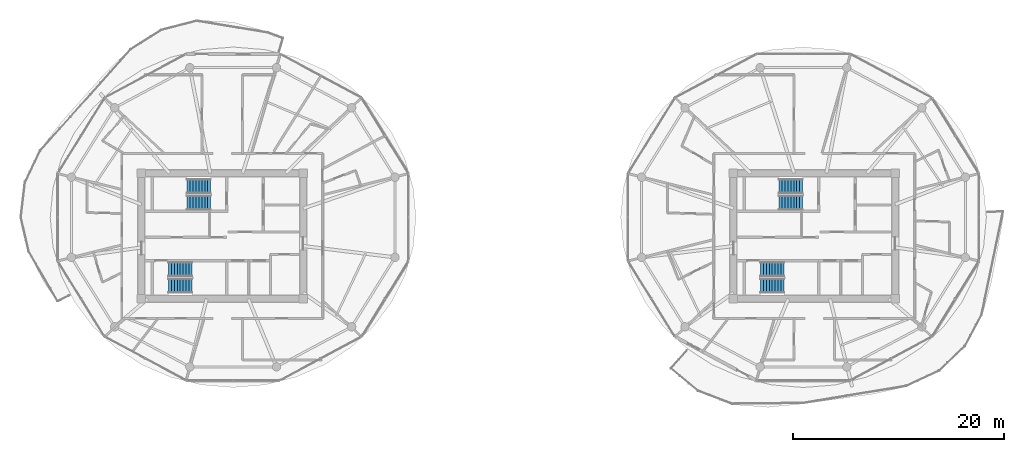
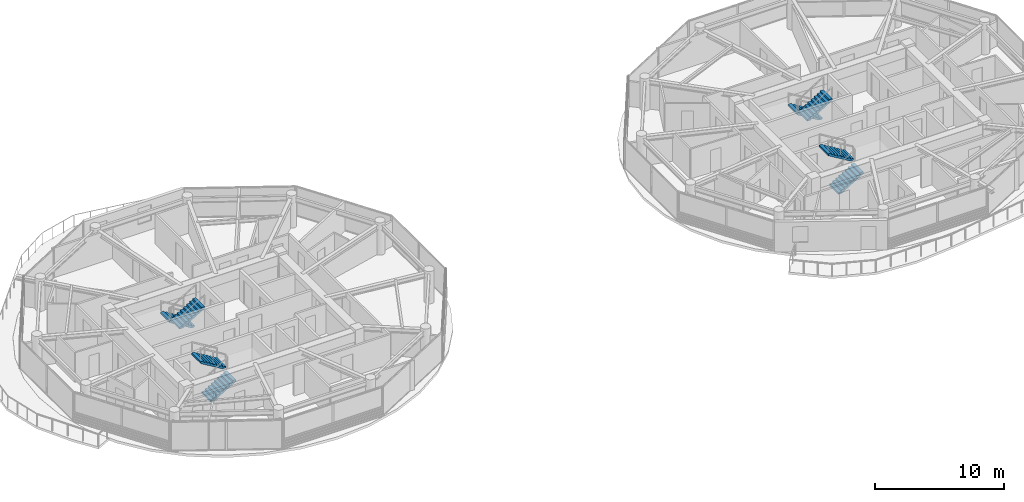
# One storey, part 19 of 24: 8 stair flights, 4 elements without a shape of their own.
"""IFC4 building model written with IfcOpenShell, lengths in metres."""

from ifc_helpers import new_model, si_unit, direction, frame, origin, place, context, subcontext, project, spatial, polyline, outline, extrude, material, type_object, element, aggregate, save


model = new_model("IFC4")

# Units and contexts
model_context = context("Model", 3, precision=1e-05, world=origin(), true_north=direction((0.0, 1.0)))
body_context = subcontext(model_context, "Body", "Model", "MODEL_VIEW")
ifc_project = project(units=[si_unit("LENGTHUNIT", "METRE"), si_unit("AREAUNIT", "SQUARE_METRE"), si_unit("VOLUMEUNIT", "CUBIC_METRE"), si_unit("PLANEANGLEUNIT", "RADIAN"), si_unit("MASSUNIT", "GRAM", prefix="KILO")], contexts=[model_context])

# Site, building, storey
site_placement = place(None, origin())
site = spatial("IfcSite", under=ifc_project, at=site_placement, CompositionType="ELEMENT")
building_placement = place(site_placement, origin())
building = spatial("IfcBuilding", under=site, at=building_placement, Name="Norrkilde Senior Care Towers", CompositionType="ELEMENT")
storey_placement = place(building_placement, frame((0.0, 0.0, 155.64990234375)))
storey = spatial("IfcBuildingStorey", under=building, at=storey_placement, Name="L48", CompositionType="ELEMENT", Elevation=155.64990234375)

# Stair, stair flights
ifc_material = material(Name="Concrete C45/55", Category="concrete")
stair_type = type_object("IfcStairType", Name="Core Protected Dogleg Stair Typical 3050", PredefinedType="HALF_TURN_STAIR", material=ifc_material)
stair_1_placement = place(storey_placement, origin())
stair_1 = element("IfcStair", 1, at=stair_1_placement, inside=storey, type_object=stair_type, Name="L48 Protected Core Stair W1", PredefinedType="HALF_TURN_STAIR")
stair_flight_type = type_object("IfcStairFlightType", Name="Core Protected Dogleg Stair Typical 3050 Flight", PredefinedType="STRAIGHT", material=ifc_material)
stair_flight_1_placement = place(storey_placement, frame((-29.10009765625, 4.699951171875, 0.0), z_axis=(0.0, 0.0, 1.0), x_axis=(-1.0, 0.0, 0.0)))
stair_flight_1 = element("IfcStairFlight", 2, at=stair_flight_1_placement, type_object=stair_flight_type, Name="ST-W1 flight 1", NumberOfRisers=9, NumberOfTreads=8, PredefinedType="STRAIGHT", RiserHeight=0.169444444, TreadLength=0.28, context=body_context, shape_type="SweptSolid", body=[
    extrude(outline(polyline([(0.0, 0.0), (0.0, 0.16943359375), (0.280029296875, 0.16943359375), (0.280029296875, 0.3388671875), (0.56005859375, 0.3388671875), (0.56005859375, 0.50830078125), (0.840087890625, 0.50830078125), (0.840087890625, 0.677734375), (1.1201171875, 0.677734375), (1.1201171875, 0.84716796875), (1.39990234375, 0.84716796875), (1.39990234375, 1.0166015625), (1.679931640625, 1.0166015625), (1.679931640625, 1.18603515625), (1.9599609375, 1.18603515625), (1.9599609375, 1.35546875), (2.239990234375, 1.35546875), (2.239990234375, 1.52490234375), (2.239990234375, 1.180419921875), (0.28955078125, 0.0), (0.0, 0.0)])), frame((0.0, 0.699951171875, 0.0), z_axis=(0.0, -1.0, 0.0), x_axis=(1.0, 0.0, 0.0)), (0.0, 0.0, 1.0), 1.39990234375),
])
stair_flight_2_placement = place(storey_placement, frame((-31.340087890625, 3.14990234375, 1.525146484375), z_axis=(0.0, 0.0, 1.0), x_axis=(1.0, 0.0, 0.0)))
stair_flight_2 = element("IfcStairFlight", 3, at=stair_flight_2_placement, type_object=stair_flight_type, Name="ST-W1 flight 2", NumberOfRisers=9, NumberOfTreads=8, PredefinedType="STRAIGHT", RiserHeight=0.169444444, TreadLength=0.28, context=body_context, shape_type="SweptSolid", body=[
    extrude(outline(polyline([(0.0, 0.0), (0.0, 0.16943359375), (0.280029296875, 0.16943359375), (0.280029296875, 0.3388671875), (0.56005859375, 0.3388671875), (0.56005859375, 0.50830078125), (0.840087890625, 0.50830078125), (0.840087890625, 0.677734375), (1.1201171875, 0.677734375), (1.1201171875, 0.84716796875), (1.39990234375, 0.84716796875), (1.39990234375, 1.0166015625), (1.679931640625, 1.0166015625), (1.679931640625, 1.18603515625), (1.9599609375, 1.18603515625), (1.9599609375, 1.35546875), (2.239990234375, 1.35546875), (2.239990234375, 1.52490234375), (2.239990234375, 1.180419921875), (0.28955078125, 0.0), (0.0, 0.0)])), frame((0.0, 0.699951171875, 0.0), z_axis=(0.0, -1.0, 0.0), x_axis=(1.0, 0.0, 0.0)), (0.0, 0.0, 1.0), 1.39990234375),
])
aggregate(stair_1, [stair_flight_1, stair_flight_2])

stair_2_placement = place(storey_placement, origin())
stair_2 = element("IfcStair", 4, at=stair_2_placement, inside=storey, type_object=stair_type, Name="L48 Protected Core Stair W2", PredefinedType="HALF_TURN_STAIR")
stair_flight_3_placement = place(storey_placement, frame((-33.10009765625, -4.699951171875, 0.0), z_axis=(0.0, 0.0, 1.0), x_axis=(1.0, 0.0, 0.0)))
stair_flight_3 = element("IfcStairFlight", 5, at=stair_flight_3_placement, type_object=stair_flight_type, Name="ST-W2 flight 1", NumberOfRisers=9, NumberOfTreads=8, PredefinedType="STRAIGHT", RiserHeight=0.169444444, TreadLength=0.28, context=body_context, shape_type="SweptSolid", body=[
    extrude(outline(polyline([(0.0, 0.0), (0.0, 0.16943359375), (0.280029296875, 0.16943359375), (0.280029296875, 0.3388671875), (0.56005859375, 0.3388671875), (0.56005859375, 0.50830078125), (0.840087890625, 0.50830078125), (0.840087890625, 0.677734375), (1.1201171875, 0.677734375), (1.1201171875, 0.84716796875), (1.39990234375, 0.84716796875), (1.39990234375, 1.0166015625), (1.679931640625, 1.0166015625), (1.679931640625, 1.18603515625), (1.9599609375, 1.18603515625), (1.9599609375, 1.35546875), (2.239990234375, 1.35546875), (2.239990234375, 1.52490234375), (2.239990234375, 1.180419921875), (0.28955078125, 0.0), (0.0, 0.0)])), frame((0.0, 0.699951171875, 0.0), z_axis=(0.0, -1.0, 0.0), x_axis=(1.0, 0.0, 0.0)), (0.0, 0.0, 1.0), 1.39990234375),
])
stair_flight_4_placement = place(storey_placement, frame((-30.860107421875, -3.14990234375, 1.525146484375), z_axis=(0.0, 0.0, 1.0), x_axis=(-1.0, 0.0, 0.0)))
stair_flight_4 = element("IfcStairFlight", 6, at=stair_flight_4_placement, type_object=stair_flight_type, Name="ST-W2 flight 2", NumberOfRisers=9, NumberOfTreads=8, PredefinedType="STRAIGHT", RiserHeight=0.169444444, TreadLength=0.28, context=body_context, shape_type="SweptSolid", body=[
    extrude(outline(polyline([(0.0, 0.0), (0.0, 0.16943359375), (0.280029296875, 0.16943359375), (0.280029296875, 0.3388671875), (0.56005859375, 0.3388671875), (0.56005859375, 0.50830078125), (0.840087890625, 0.50830078125), (0.840087890625, 0.677734375), (1.1201171875, 0.677734375), (1.1201171875, 0.84716796875), (1.39990234375, 0.84716796875), (1.39990234375, 1.0166015625), (1.679931640625, 1.0166015625), (1.679931640625, 1.18603515625), (1.9599609375, 1.18603515625), (1.9599609375, 1.35546875), (2.239990234375, 1.35546875), (2.239990234375, 1.52490234375), (2.239990234375, 1.180419921875), (0.28955078125, 0.0), (0.0, 0.0)])), frame((0.0, 0.699951171875, 0.0), z_axis=(0.0, -1.0, 0.0), x_axis=(1.0, 0.0, 0.0)), (0.0, 0.0, 1.0), 1.39990234375),
])
aggregate(stair_2, [stair_flight_3, stair_flight_4])

stair_3_placement = place(storey_placement, origin())
stair_3 = element("IfcStair", 7, at=stair_3_placement, inside=storey, type_object=stair_type, Name="L48 Protected Core Stair E1", PredefinedType="HALF_TURN_STAIR")
stair_flight_5_placement = place(storey_placement, frame((26.89990234375, 4.699951171875, 0.0), z_axis=(0.0, 0.0, 1.0), x_axis=(-1.0, 0.0, 0.0)))
stair_flight_5 = element("IfcStairFlight", 8, at=stair_flight_5_placement, type_object=stair_flight_type, Name="ST-E1 flight 1", NumberOfRisers=9, NumberOfTreads=8, PredefinedType="STRAIGHT", RiserHeight=0.169444444, TreadLength=0.28, context=body_context, shape_type="SweptSolid", body=[
    extrude(outline(polyline([(0.0, 0.0), (0.0, 0.16943359375), (0.280029296875, 0.16943359375), (0.280029296875, 0.3388671875), (0.56005859375, 0.3388671875), (0.56005859375, 0.50830078125), (0.840087890625, 0.50830078125), (0.840087890625, 0.677734375), (1.1201171875, 0.677734375), (1.1201171875, 0.84716796875), (1.39990234375, 0.84716796875), (1.39990234375, 1.0166015625), (1.679931640625, 1.0166015625), (1.679931640625, 1.18603515625), (1.9599609375, 1.18603515625), (1.9599609375, 1.35546875), (2.239990234375, 1.35546875), (2.239990234375, 1.52490234375), (2.239990234375, 1.180419921875), (0.28955078125, 0.0), (0.0, 0.0)])), frame((0.0, 0.699951171875, 0.0), z_axis=(0.0, -1.0, 0.0), x_axis=(1.0, 0.0, 0.0)), (0.0, 0.0, 1.0), 1.39990234375),
])
stair_flight_6_placement = place(storey_placement, frame((24.659912109375, 3.14990234375, 1.525146484375), z_axis=(0.0, 0.0, 1.0), x_axis=(1.0, 0.0, 0.0)))
stair_flight_6 = element("IfcStairFlight", 9, at=stair_flight_6_placement, type_object=stair_flight_type, Name="ST-E1 flight 2", NumberOfRisers=9, NumberOfTreads=8, PredefinedType="STRAIGHT", RiserHeight=0.169444444, TreadLength=0.28, context=body_context, shape_type="SweptSolid", body=[
    extrude(outline(polyline([(0.0, 0.0), (0.0, 0.16943359375), (0.280029296875, 0.16943359375), (0.280029296875, 0.3388671875), (0.56005859375, 0.3388671875), (0.56005859375, 0.50830078125), (0.840087890625, 0.50830078125), (0.840087890625, 0.677734375), (1.1201171875, 0.677734375), (1.1201171875, 0.84716796875), (1.39990234375, 0.84716796875), (1.39990234375, 1.0166015625), (1.679931640625, 1.0166015625), (1.679931640625, 1.18603515625), (1.9599609375, 1.18603515625), (1.9599609375, 1.35546875), (2.239990234375, 1.35546875), (2.239990234375, 1.52490234375), (2.239990234375, 1.180419921875), (0.28955078125, 0.0), (0.0, 0.0)])), frame((0.0, 0.699951171875, 0.0), z_axis=(0.0, -1.0, 0.0), x_axis=(1.0, 0.0, 0.0)), (0.0, 0.0, 1.0), 1.39990234375),
])
aggregate(stair_3, [stair_flight_5, stair_flight_6])

stair_4_placement = place(storey_placement, origin())
stair_4 = element("IfcStair", 10, at=stair_4_placement, inside=storey, type_object=stair_type, Name="L48 Protected Core Stair E2", PredefinedType="HALF_TURN_STAIR")
stair_flight_7_placement = place(storey_placement, frame((22.89990234375, -4.699951171875, 0.0), z_axis=(0.0, 0.0, 1.0), x_axis=(1.0, 0.0, 0.0)))
stair_flight_7 = element("IfcStairFlight", 11, at=stair_flight_7_placement, type_object=stair_flight_type, Name="ST-E2 flight 1", NumberOfRisers=9, NumberOfTreads=8, PredefinedType="STRAIGHT", RiserHeight=0.169444444, TreadLength=0.28, context=body_context, shape_type="SweptSolid", body=[
    extrude(outline(polyline([(0.0, 0.0), (0.0, 0.16943359375), (0.280029296875, 0.16943359375), (0.280029296875, 0.3388671875), (0.56005859375, 0.3388671875), (0.56005859375, 0.50830078125), (0.840087890625, 0.50830078125), (0.840087890625, 0.677734375), (1.1201171875, 0.677734375), (1.1201171875, 0.84716796875), (1.39990234375, 0.84716796875), (1.39990234375, 1.0166015625), (1.679931640625, 1.0166015625), (1.679931640625, 1.18603515625), (1.9599609375, 1.18603515625), (1.9599609375, 1.35546875), (2.239990234375, 1.35546875), (2.239990234375, 1.52490234375), (2.239990234375, 1.180419921875), (0.28955078125, 0.0), (0.0, 0.0)])), frame((0.0, 0.699951171875, 0.0), z_axis=(0.0, -1.0, 0.0), x_axis=(1.0, 0.0, 0.0)), (0.0, 0.0, 1.0), 1.39990234375),
])
stair_flight_8_placement = place(storey_placement, frame((25.139892578125, -3.14990234375, 1.525146484375), z_axis=(0.0, 0.0, 1.0), x_axis=(-1.0, 0.0, 0.0)))
stair_flight_8 = element("IfcStairFlight", 12, at=stair_flight_8_placement, type_object=stair_flight_type, Name="ST-E2 flight 2", NumberOfRisers=9, NumberOfTreads=8, PredefinedType="STRAIGHT", RiserHeight=0.169444444, TreadLength=0.28, context=body_context, shape_type="SweptSolid", body=[
    extrude(outline(polyline([(0.0, 0.0), (0.0, 0.16943359375), (0.280029296875, 0.16943359375), (0.280029296875, 0.3388671875), (0.56005859375, 0.3388671875), (0.56005859375, 0.50830078125), (0.840087890625, 0.50830078125), (0.840087890625, 0.677734375), (1.1201171875, 0.677734375), (1.1201171875, 0.84716796875), (1.39990234375, 0.84716796875), (1.39990234375, 1.0166015625), (1.679931640625, 1.0166015625), (1.679931640625, 1.18603515625), (1.9599609375, 1.18603515625), (1.9599609375, 1.35546875), (2.239990234375, 1.35546875), (2.239990234375, 1.52490234375), (2.239990234375, 1.180419921875), (0.28955078125, 0.0), (0.0, 0.0)])), frame((0.0, 0.699951171875, 0.0), z_axis=(0.0, -1.0, 0.0), x_axis=(1.0, 0.0, 0.0)), (0.0, 0.0, 1.0), 1.39990234375),
])
aggregate(stair_4, [stair_flight_7, stair_flight_8])

save(model, "model.ifc")
